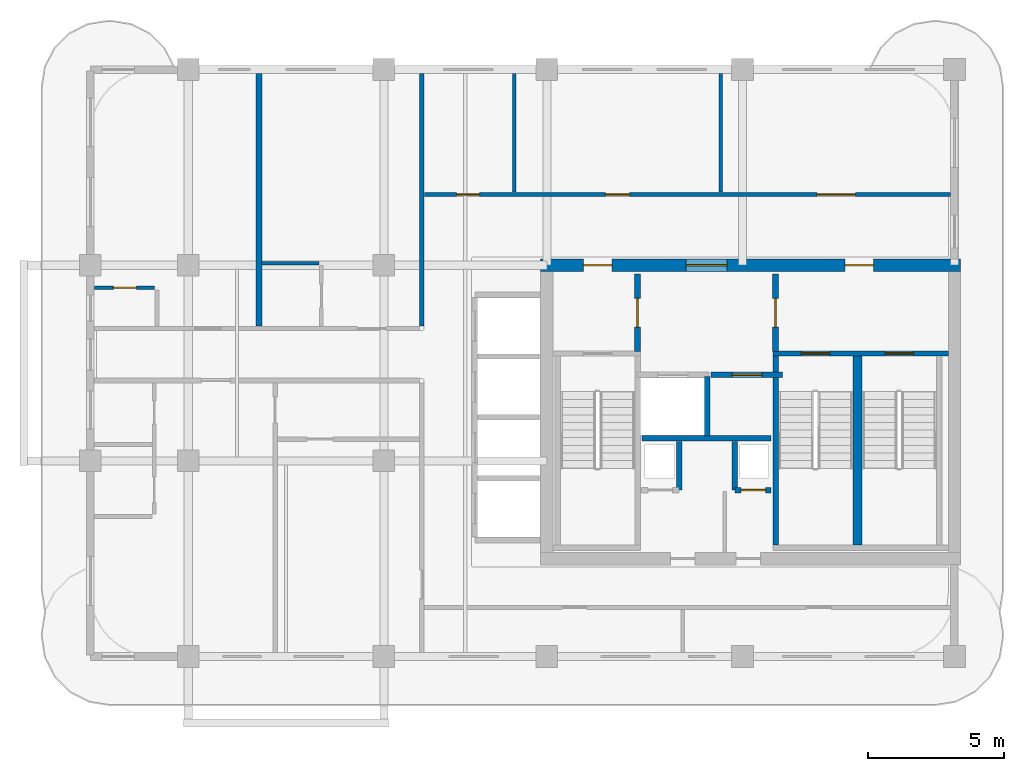
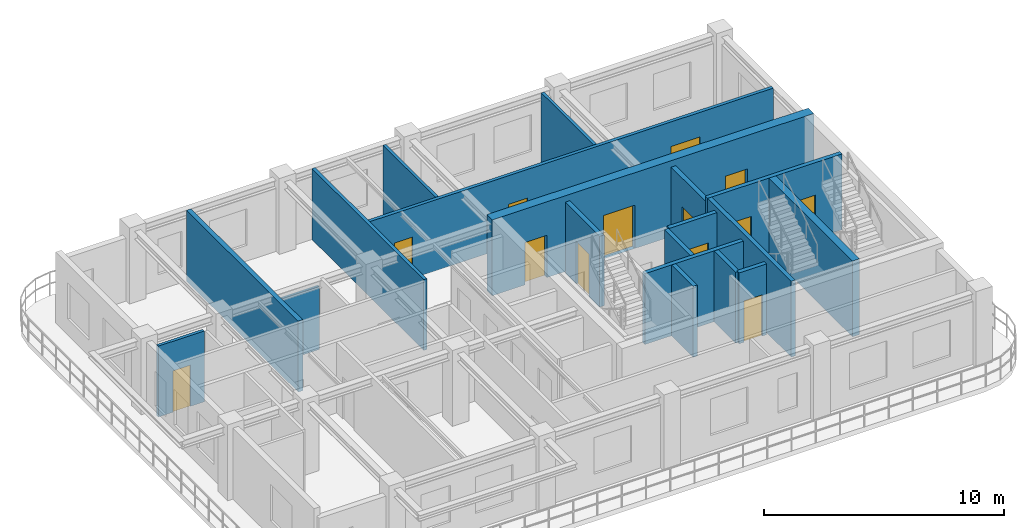
# One storey, part 4 of 7: 19 walls, 13 doors, 13 openings.
"""IFC4 building model written with IfcOpenShell, lengths in metres."""

from ifc_helpers import new_model, si_unit, derived_unit, direction, frame, frame_2d, origin, place, context, subcontext, project, spatial, rectangle, extrude, source, transform, mapped, material, layer, layer_set, type_object, type_shapes, element, fill, save


model = new_model("IFC4")

# Units and contexts
model_context = context("Model", 3, precision=1e-05, world=origin(), true_north=direction((0.0, 1.0)))
body_context = subcontext(model_context, "Body", "Model", "MODEL_VIEW")
ifc_project = project(units=[si_unit("LENGTHUNIT", "METRE"), si_unit("AREAUNIT", "SQUARE_METRE"), si_unit("VOLUMEUNIT", "CUBIC_METRE"), si_unit("PLANEANGLEUNIT", "RADIAN"), si_unit("MASSUNIT", "GRAM", prefix="KILO"), si_unit("THERMODYNAMICTEMPERATUREUNIT", "KELVIN"), si_unit("POWERUNIT", "WATT"), derived_unit("THERMALTRANSMITTANCEUNIT", [(si_unit("POWERUNIT", "WATT"), 1), (si_unit("AREAUNIT", "SQUARE_METRE"), -1), (si_unit("THERMODYNAMICTEMPERATUREUNIT", "KELVIN"), -1)])], contexts=[model_context])

# Site, building, storey
site_placement = place(None, origin())
site = spatial("IfcSite", under=ifc_project, at=site_placement, CompositionType="ELEMENT")
building_placement = place(site_placement, origin())
building = spatial("IfcBuilding", under=site, at=building_placement, Name="Zahravan Archway Hotel and Residences", CompositionType="ELEMENT")
storey_placement = place(building_placement, frame((0.0, 0.0, 259.64990234375)))
storey = spatial("IfcBuildingStorey", under=building, at=storey_placement, Name="L65", CompositionType="ELEMENT", Elevation=259.64990234375)

# Wall, openings, doors
ifc_material_1 = material(Name="Concrete C50/60", Category="concrete")
ifc_layer_1 = layer(ifc_material_1, 0.449951171875, Name="Concrete C50/60", Category="concrete")
ifc_layer_set_1 = layer_set([ifc_layer_1], Name="Concrete C50/60")
wall_type_1 = type_object("IfcWallType", Name="CW-CORE-450", PredefinedType="SHEAR", material=ifc_layer_set_1)
wall_1_placement = place(storey_placement, frame((34.574951171875, 14.39990234375, 0.0), z_axis=(0.0, 0.0, 1.0), x_axis=(1.0, 0.0, 0.0)))
wall_1 = element("IfcWall", 1, at=wall_1_placement, inside=storey, type_object=wall_type_1, Name="L65 Core A Shear N Wall 450 mm", PredefinedType="SHEAR", context=body_context, shape_type="SweptSolid", body=[
    extrude(rectangle(XDim=15.449951171875, YDim=0.449951171875, at=frame_2d((7.72509765625, 0.0))), origin(), (0.0, 0.0, 1.0), 3.85009765625),
])
opening_1_placement = place(wall_1_placement, frame((5.35498046875, 0.0, 0.0)))
opening_1 = element("IfcOpeningElement", 2, at=opening_1_placement, cuts=wall_1, Name="Opening FD-L1", PredefinedType="OPENING", context=body_context, shape_type="SweptSolid", body=[
    extrude(rectangle(XDim=1.5, YDim=2.199951171875, at=frame_2d((0.75, 1.10009765625))), frame((0.0, 0.23486328125, 0.0), z_axis=(0.0, -1.0, 0.0), x_axis=(1.0, 0.0, 0.0)), (0.0, 0.0, 1.0), 0.469970703125),
])
opening_2_placement = place(wall_1_placement, frame((1.570068359375, 0.0, 0.0)))
opening_2 = element("IfcOpeningElement", 3, at=opening_2_placement, cuts=wall_1, Name="Opening FD-L2", PredefinedType="OPENING", context=body_context, shape_type="SweptSolid", body=[
    extrude(rectangle(XDim=1.050048828125, YDim=2.14990234375, at=frame_2d((0.52490234375, 1.074951171875))), frame((0.0, 0.23486328125, 0.0), z_axis=(0.0, -1.0, 0.0), x_axis=(1.0, 0.0, 0.0)), (0.0, 0.0, 1.0), 0.469970703125),
])
opening_3_placement = place(wall_1_placement, frame((11.199951171875, 0.0, 0.0)))
opening_3 = element("IfcOpeningElement", 4, at=opening_3_placement, cuts=wall_1, Name="Opening FD-L2", PredefinedType="OPENING", context=body_context, shape_type="SweptSolid", body=[
    extrude(rectangle(XDim=1.050048828125, YDim=2.14990234375, at=frame_2d((0.52490234375, 1.074951171875))), frame((0.0, 0.23486328125, 0.0), z_axis=(0.0, -1.0, 0.0), x_axis=(1.0, 0.0, 0.0)), (0.0, 0.0, 1.0), 0.469970703125),
])
ifc_material_2 = material(Name="Fire-Rated Painted Steel", Category="steel")
door_type_1 = type_object("IfcDoorType", Name="FD-LOBBY-1100", OperationType="NOTDEFINED", PredefinedType="DOOR", material=ifc_material_2)
shared_shape_1 = source(origin(), body_context, "Body", "SweptSolid", [
    extrude(rectangle(XDim=1.050048828125, YDim=2.14990234375, at=frame_2d((0.52490234375, 1.074951171875))), frame((0.0, 0.02490234375, 0.0), z_axis=(0.0, -1.0, 0.0), x_axis=(1.0, 0.0, 0.0)), (0.0, 0.0, 1.0), 0.050048828125),
])
type_shapes(door_type_1, [shared_shape_1])
door_1_placement = place(opening_2_placement, origin())
door_1 = element("IfcDoor", 5, at=door_1_placement, inside=storey, type_object=door_type_1, Name="L65 Core A West Stair Lobby Door", OperationType="SINGLE_SWING_LEFT", OverallHeight=2.14990234375, OverallWidth=1.050048828125, PredefinedType="DOOR", context=body_context, shape_type="MappedRepresentation", body=[
    mapped(shared_shape_1, transform((0.0, 0.0, 0.0), scale=1.0)),
])
fill(opening_2, door_1)
door_2_placement = place(opening_3_placement, origin())
door_2 = element("IfcDoor", 6, at=door_2_placement, inside=storey, type_object=door_type_1, Name="L65 Core A East Stair Lobby Door", OperationType="SINGLE_SWING_RIGHT", OverallHeight=2.14990234375, OverallWidth=1.050048828125, PredefinedType="DOOR", context=body_context, shape_type="MappedRepresentation", body=[
    mapped(shared_shape_1, transform((0.0, 0.0, 0.0), scale=1.0)),
])
fill(opening_3, door_2)
door_type_2 = type_object("IfcDoorType", Name="FD-LOBBY-1500", OperationType="DOUBLE_DOOR_SINGLE_SWING", PredefinedType="DOOR", material=ifc_material_2)
shared_shape_2 = source(origin(), body_context, "Body", "SweptSolid", [
    extrude(rectangle(XDim=1.5, YDim=2.199951171875, at=frame_2d((0.75, 1.10009765625))), frame((0.0, 0.02490234375, 0.0), z_axis=(0.0, -1.0, 0.0), x_axis=(1.0, 0.0, 0.0)), (0.0, 0.0, 1.0), 0.050048828125),
])
type_shapes(door_type_2, [shared_shape_2])
door_3_placement = place(opening_1_placement, origin())
door_3 = element("IfcDoor", 7, at=door_3_placement, inside=storey, type_object=door_type_2, Name="L65 Core A FSAE Lobby Main Door", OperationType="DOUBLE_DOOR_SINGLE_SWING", OverallHeight=2.199951171875, OverallWidth=1.5, PredefinedType="DOOR", context=body_context, shape_type="MappedRepresentation", body=[
    mapped(shared_shape_2, transform((0.0, 0.0, 0.0), scale=1.0)),
])
fill(opening_1, door_3)

# Wall, opening, door
ifc_material_3 = material(Name="Fire-Rated Gypsum & Concrete Block", Category="concrete")
ifc_layer_2 = layer(ifc_material_3, 0.219970703125, Name="Fire-Rated Gypsum & Concrete Block", Category="concrete")
ifc_layer_set_2 = layer_set([ifc_layer_2], Name="Fire-Rated Gypsum & Concrete Block")
wall_type_2 = type_object("IfcWallType", Name="PW-COMP-220", PredefinedType="PARTITIONING", material=ifc_layer_set_2)
wall_2_placement = place(storey_placement, frame((38.139892578125, 11.219970703125, 0.0), z_axis=(0.0, 0.0, 1.0), x_axis=(0.0, 1.0, 0.0)))
wall_2 = element("IfcWall", 8, at=wall_2_placement, inside=storey, type_object=wall_type_2, Name="L65 Partition CA-LOBW", PredefinedType="PARTITIONING", context=body_context, shape_type="SweptSolid", body=[
    extrude(rectangle(XDim=2.860107421875, YDim=0.219970703125, at=frame_2d((1.43017578125, 0.0))), origin(), (0.0, 0.0, 1.0), 3.60009765625),
])
opening_4_placement = place(wall_2_placement, frame((0.905029296875, 0.0, 0.0)))
opening_4 = element("IfcOpeningElement", 9, at=opening_4_placement, cuts=wall_2, Name="Opening FD-L2", PredefinedType="OPENING", context=body_context, shape_type="SweptSolid", body=[
    extrude(rectangle(XDim=1.050048828125, YDim=2.14990234375, at=frame_2d((0.52490234375, 1.074951171875))), frame((0.0, 0.1201171875, 0.0), z_axis=(0.0, -1.0, 0.0), x_axis=(1.0, 0.0, 0.0)), (0.0, 0.0, 1.0), 0.239990234375),
])
door_4_placement = place(opening_4_placement, origin())
door_4 = element("IfcDoor", 10, at=door_4_placement, inside=storey, type_object=door_type_1, Name="L65 Core A West Stair to FSAE Lobby Door", OperationType="SINGLE_SWING_LEFT", OverallHeight=2.14990234375, OverallWidth=1.050048828125, PredefinedType="DOOR", context=body_context, shape_type="MappedRepresentation", body=[
    mapped(shared_shape_1, transform((0.0, 0.0, 0.0), scale=1.0)),
])
fill(opening_4, door_4)

wall_3_placement = place(storey_placement, frame((43.219970703125, 11.219970703125, 0.0), z_axis=(0.0, 0.0, 1.0), x_axis=(0.0, 1.0, 0.0)))
wall_3 = element("IfcWall", 11, at=wall_3_placement, inside=storey, type_object=wall_type_2, Name="L65 Partition CA-LOBE", PredefinedType="PARTITIONING", context=body_context, shape_type="SweptSolid", body=[
    extrude(rectangle(XDim=2.860107421875, YDim=0.219970703125, at=frame_2d((1.43017578125, 0.0))), origin(), (0.0, 0.0, 1.0), 3.60009765625),
])
opening_5_placement = place(wall_3_placement, frame((0.905029296875, 0.0, 0.0)))
opening_5 = element("IfcOpeningElement", 12, at=opening_5_placement, cuts=wall_3, Name="Opening FD-L2", PredefinedType="OPENING", context=body_context, shape_type="SweptSolid", body=[
    extrude(rectangle(XDim=1.050048828125, YDim=2.14990234375, at=frame_2d((0.52490234375, 1.074951171875))), frame((0.0, 0.1201171875, 0.0), z_axis=(0.0, -1.0, 0.0), x_axis=(1.0, 0.0, 0.0)), (0.0, 0.0, 1.0), 0.239990234375),
])
door_5_placement = place(opening_5_placement, origin())
door_5 = element("IfcDoor", 13, at=door_5_placement, inside=storey, type_object=door_type_1, Name="L65 Core A East Stair to FSAE Lobby Door", OperationType="SINGLE_SWING_RIGHT", OverallHeight=2.14990234375, OverallWidth=1.050048828125, PredefinedType="DOOR", context=body_context, shape_type="MappedRepresentation", body=[
    mapped(shared_shape_1, transform((0.0, 0.0, 0.0), scale=1.0)),
])
fill(opening_5, door_5)

# Walls
wall_4_placement = place(storey_placement, frame((24.199951171875, 12.159912109375, 0.0), z_axis=(0.0, 0.0, 1.0), x_axis=(0.0, 1.0, 0.0)))
element("IfcWall", 14, at=wall_4_placement, inside=storey, type_object=wall_type_2, Name="L65 Partition WAN-SBK1", PredefinedType="PARTITIONING", context=body_context, shape_type="SweptSolid", body=[
    extrude(rectangle(XDim=9.2919921875, YDim=0.219970703125, at=frame_2d((4.64599609375, 0.0))), origin(), (0.0, 0.0, 1.0), 3.60009765625),
])
ifc_layer_3 = layer(ifc_material_3, 0.159912109375, Name="Fire-Rated Gypsum & Concrete Block", Category="concrete")
ifc_layer_set_3 = layer_set([ifc_layer_3], Name="Fire-Rated Gypsum & Concrete Block")
wall_type_3 = type_object("IfcWallType", Name="PW-CORR-160", PredefinedType="PARTITIONING", material=ifc_layer_set_3)
wall_5_placement = place(storey_placement, frame((30.199951171875, 12.159912109375, 0.0), z_axis=(0.0, 0.0, 1.0), x_axis=(0.0, 1.0, 0.0)))
element("IfcWall", 15, at=wall_5_placement, inside=storey, type_object=wall_type_3, Name="L65 Partition WA-FW", PredefinedType="PARTITIONING", context=body_context, shape_type="SweptSolid", body=[
    extrude(rectangle(XDim=9.300048828125, YDim=0.159912109375, at=frame_2d((4.64990234375, 0.0))), origin(), (0.0, 0.0, 1.0), 3.60009765625),
])

# Wall, openings, doors
wall_6_placement = place(storey_placement, frame((30.2900390625, 17.0, 0.0), z_axis=(0.0, 0.0, 1.0), x_axis=(1.0, 0.0, 0.0)))
wall_6 = element("IfcWall", 16, at=wall_6_placement, inside=storey, type_object=wall_type_3, Name="L65 Partition WA-FN", PredefinedType="PARTITIONING", context=body_context, shape_type="SweptSolid", body=[
    extrude(rectangle(XDim=19.369873046875, YDim=0.159912109375, at=frame_2d((9.68505859375, 0.0))), origin(), (0.0, 0.0, 1.0), 3.60009765625),
])
opening_6_placement = place(wall_6_placement, frame((1.18505859375, 0.0, 0.0)))
opening_6 = element("IfcOpeningElement", 17, at=opening_6_placement, cuts=wall_6, Name="Opening D-B1", PredefinedType="OPENING", context=body_context, shape_type="SweptSolid", body=[
    extrude(rectangle(XDim=0.85009765625, YDim=2.10009765625, at=frame_2d((0.425048828125, 1.050048828125))), frame((0.0, 0.08984375, 0.0), z_axis=(0.0, -1.0, 0.0), x_axis=(1.0, 0.0, 0.0)), (0.0, 0.0, 1.0), 0.179931640625),
])
opening_7_placement = place(wall_6_placement, frame((6.659912109375, 0.0, 0.0)))
opening_7 = element("IfcOpeningElement", 18, at=opening_7_placement, cuts=wall_6, Name="Opening D-I2", PredefinedType="OPENING", context=body_context, shape_type="SweptSolid", body=[
    extrude(rectangle(XDim=0.89990234375, YDim=2.14990234375, at=frame_2d((0.449951171875, 1.074951171875))), frame((0.0, 0.08984375, 0.0), z_axis=(0.0, -1.0, 0.0), x_axis=(1.0, 0.0, 0.0)), (0.0, 0.0, 1.0), 0.179931640625),
])
opening_8_placement = place(wall_6_placement, frame((14.4599609375, 0.0, 0.0)))
opening_8 = element("IfcOpeningElement", 19, at=opening_8_placement, cuts=wall_6, Name="Opening D-P1", PredefinedType="OPENING", context=body_context, shape_type="SweptSolid", body=[
    extrude(rectangle(XDim=1.39990234375, YDim=2.35009765625, at=frame_2d((0.699951171875, 1.175048828125))), frame((0.0, 0.08984375, 0.0), z_axis=(0.0, -1.0, 0.0), x_axis=(1.0, 0.0, 0.0)), (0.0, 0.0, 1.0), 0.179931640625),
])
ifc_material_4 = material(Name="Hardwood Veneer Timber", Category="wood")
door_type_3 = type_object("IfcDoorType", Name="ID-BATH-850", OperationType="NOTDEFINED", PredefinedType="DOOR", material=ifc_material_4)
shared_shape_3 = source(origin(), body_context, "Body", "SweptSolid", [
    extrude(rectangle(XDim=0.85009765625, YDim=2.10009765625, at=frame_2d((0.425048828125, 1.050048828125))), frame((0.0, 0.02490234375, 0.0), z_axis=(0.0, -1.0, 0.0), x_axis=(1.0, 0.0, 0.0)), (0.0, 0.0, 1.0), 0.050048828125),
])
type_shapes(door_type_3, [shared_shape_3])
door_6_placement = place(opening_6_placement, origin())
door_6 = element("IfcDoor", 20, at=door_6_placement, inside=storey, type_object=door_type_3, Name="L65 Accessible Floor Restroom Door", OperationType="SINGLE_SWING_RIGHT", OverallHeight=2.10009765625, OverallWidth=0.85009765625, PredefinedType="DOOR", context=body_context, shape_type="MappedRepresentation", body=[
    mapped(shared_shape_3, transform((0.0, 0.0, 0.0), scale=1.0)),
])
fill(opening_6, door_6)
ifc_material_5 = material(Name="Bronze-Anodized Glazed Aluminium", Category="aluminium")
door_type_4 = type_object("IfcDoorType", Name="ID-PUBLIC-1400", OperationType="DOUBLE_DOOR_SINGLE_SWING", PredefinedType="DOOR", material=ifc_material_5)
shared_shape_4 = source(origin(), body_context, "Body", "SweptSolid", [
    extrude(rectangle(XDim=1.39990234375, YDim=2.35009765625, at=frame_2d((0.699951171875, 1.175048828125))), frame((0.0, 0.02490234375, 0.0), z_axis=(0.0, -1.0, 0.0), x_axis=(1.0, 0.0, 0.0)), (0.0, 0.0, 1.0), 0.050048828125),
])
type_shapes(door_type_4, [shared_shape_4])
door_7_placement = place(opening_8_placement, origin())
door_7 = element("IfcDoor", 21, at=door_7_placement, inside=storey, type_object=door_type_4, Name="L65 Co-Working Room Door", OperationType="DOUBLE_DOOR_SINGLE_SWING", OverallHeight=2.35009765625, OverallWidth=1.39990234375, PredefinedType="DOOR", context=body_context, shape_type="MappedRepresentation", body=[
    mapped(shared_shape_4, transform((0.0, 0.0, 0.0), scale=1.0)),
])
fill(opening_8, door_7)
door_type_5 = type_object("IfcDoorType", Name="ID-INT-900", OperationType="NOTDEFINED", PredefinedType="DOOR", material=ifc_material_4)
shared_shape_5 = source(origin(), body_context, "Body", "SweptSolid", [
    extrude(rectangle(XDim=0.89990234375, YDim=2.14990234375, at=frame_2d((0.449951171875, 1.074951171875))), frame((0.0, 0.02490234375, 0.0), z_axis=(0.0, -1.0, 0.0), x_axis=(1.0, 0.0, 0.0)), (0.0, 0.0, 1.0), 0.050048828125),
])
type_shapes(door_type_5, [shared_shape_5])
door_8_placement = place(opening_7_placement, origin())
door_8 = element("IfcDoor", 22, at=door_8_placement, inside=storey, type_object=door_type_5, Name="L65 Tea Servery Door", OperationType="SINGLE_SWING_LEFT", OverallHeight=2.14990234375, OverallWidth=0.89990234375, PredefinedType="DOOR", context=body_context, shape_type="MappedRepresentation", body=[
    mapped(shared_shape_5, transform((0.0, 0.0, 0.0), scale=1.0)),
])
fill(opening_7, door_8)

# Walls
ifc_layer_4 = layer(ifc_material_3, 0.199951171875, Name="Fire-Rated Gypsum & Concrete Block", Category="concrete")
ifc_layer_set_4 = layer_set([ifc_layer_4], Name="Fire-Rated Gypsum & Concrete Block")
wall_type_4 = type_object("IfcWallType", Name="PW-SHAFT-200", PredefinedType="PARTITIONING", material=ifc_layer_set_4)
wall_7_placement = place(storey_placement, frame((38.300048828125, 8.030029296875, 0.0), z_axis=(0.0, 0.0, 1.0), x_axis=(1.0, 0.0, 0.0)))
element("IfcWall", 23, at=wall_7_placement, inside=storey, type_object=wall_type_4, Name="L65 Partition CA-FLS", PredefinedType="PARTITIONING", context=body_context, shape_type="SweptSolid", body=[
    extrude(rectangle(XDim=4.739990234375, YDim=0.199951171875, at=frame_2d((2.3701171875, 0.0))), origin(), (0.0, 0.0, 1.0), 3.60009765625),
])
wall_8_placement = place(storey_placement, frame((40.699951171875, 8.1201171875, 0.0), z_axis=(0.0, 0.0, 1.0), x_axis=(0.0, 1.0, 0.0)))
element("IfcWall", 24, at=wall_8_placement, inside=storey, type_object=wall_type_4, Name="L65 Partition CA-FLM", PredefinedType="PARTITIONING", context=body_context, shape_type="SweptSolid", body=[
    extrude(rectangle(XDim=2.179931640625, YDim=0.199951171875, at=frame_2d((1.08984375, 0.0))), origin(), (0.0, 0.0, 1.0), 3.60009765625),
])
wall_9_placement = place(storey_placement, frame((39.679931640625, 6.1298828125, 0.0), z_axis=(0.0, 0.0, 1.0), x_axis=(0.0, 1.0, 0.0)))
element("IfcWall", 25, at=wall_9_placement, inside=storey, type_object=wall_type_4, Name="L65 Partition CA-SMKE", PredefinedType="PARTITIONING", context=body_context, shape_type="SweptSolid", body=[
    extrude(rectangle(XDim=1.7900390625, YDim=0.199951171875, at=frame_2d((0.89501953125, 0.0))), origin(), (0.0, 0.0, 1.0), 3.60009765625),
])

# Wall, opening, door
wall_10_placement = place(storey_placement, frame((41.72998046875, 6.1201171875, 0.0), z_axis=(0.0, 0.0, 1.0), x_axis=(1.0, 0.0, 0.0)))
wall_10 = element("IfcWall", 26, at=wall_10_placement, inside=storey, type_object=wall_type_4, Name="L65 Partition CA-MEPS", PredefinedType="PARTITIONING", context=body_context, shape_type="SweptSolid", body=[
    extrude(rectangle(XDim=1.320068359375, YDim=0.199951171875, at=frame_2d((0.66015625, 0.0))), origin(), (0.0, 0.0, 1.0), 3.60009765625),
])
opening_9_placement = place(wall_10_placement, frame((0.219970703125, 0.0, 0.0)))
opening_9 = element("IfcOpeningElement", 27, at=opening_9_placement, cuts=wall_10, Name="Opening FD-R1", PredefinedType="OPENING", context=body_context, shape_type="SweptSolid", body=[
    extrude(rectangle(XDim=0.89990234375, YDim=2.10009765625, at=frame_2d((0.449951171875, 1.050048828125))), frame((0.0, 0.10986328125, 0.0), z_axis=(0.0, -1.0, 0.0), x_axis=(1.0, 0.0, 0.0)), (0.0, 0.0, 1.0), 0.219970703125),
])
door_type_6 = type_object("IfcDoorType", Name="FD-RISER-900", OperationType="NOTDEFINED", PredefinedType="DOOR", material=ifc_material_2)
shared_shape_6 = source(origin(), body_context, "Body", "SweptSolid", [
    extrude(rectangle(XDim=0.89990234375, YDim=2.10009765625, at=frame_2d((0.449951171875, 1.050048828125))), frame((0.0, 0.02490234375, 0.0), z_axis=(0.0, -1.0, 0.0), x_axis=(1.0, 0.0, 0.0)), (0.0, 0.0, 1.0), 0.050048828125),
])
type_shapes(door_type_6, [shared_shape_6])
door_9_placement = place(opening_9_placement, origin())
door_9 = element("IfcDoor", 28, at=door_9_placement, inside=storey, type_object=door_type_6, Name="L65 MEP Riser Access Door", OperationType="SINGLE_SWING_RIGHT", OverallHeight=2.10009765625, OverallWidth=0.89990234375, PredefinedType="DOOR", context=body_context, shape_type="MappedRepresentation", body=[
    mapped(shared_shape_6, transform((0.0, 0.0, 0.0), scale=1.0)),
])
fill(opening_9, door_9)

# Wall
wall_11_placement = place(storey_placement, frame((41.719970703125, 6.1298828125, 0.0), z_axis=(0.0, 0.0, 1.0), x_axis=(0.0, 1.0, 0.0)))
element("IfcWall", 29, at=wall_11_placement, inside=storey, type_object=wall_type_4, Name="L65 Partition CA-MEPW", PredefinedType="PARTITIONING", context=body_context, shape_type="SweptSolid", body=[
    extrude(rectangle(XDim=1.7900390625, YDim=0.199951171875, at=frame_2d((0.89501953125, 0.0))), origin(), (0.0, 0.0, 1.0), 3.60009765625),
])

# Wall, opening, door
wall_12_placement = place(storey_placement, frame((40.840087890625, 10.3701171875, 0.0), z_axis=(0.0, 0.0, 1.0), x_axis=(1.0, 0.0, 0.0)))
wall_12 = element("IfcWall", 30, at=wall_12_placement, inside=storey, type_object=wall_type_4, Name="L65 Lift FL-2 Front Wall", PredefinedType="PARTITIONING", context=body_context, shape_type="SweptSolid", body=[
    extrude(rectangle(XDim=2.639892578125, YDim=0.199951171875, at=frame_2d((1.31982421875, 0.0))), origin(), (0.0, 0.0, 1.0), 3.60009765625),
])
opening_10_placement = place(wall_12_placement, frame((0.77001953125, 0.0, 0.0)))
opening_10 = element("IfcOpeningElement", 31, at=opening_10_placement, cuts=wall_12, Name="Opening LD", PredefinedType="OPENING", context=body_context, shape_type="SweptSolid", body=[
    extrude(rectangle(XDim=1.10009765625, YDim=2.199951171875, at=frame_2d((0.550048828125, 1.10009765625))), frame((0.0, 0.10986328125, 0.0), z_axis=(0.0, -1.0, 0.0), x_axis=(1.0, 0.0, 0.0)), (0.0, 0.0, 1.0), 0.219970703125),
])
ifc_material_6 = material(Name="Brushed Stainless Steel", Category="steel")
door_type_7 = type_object("IfcDoorType", Name="DR-LIFT-LD", OperationType="SLIDING_TO_LEFT", PredefinedType="DOOR", material=ifc_material_6)
shared_shape_7 = source(origin(), body_context, "Body", "SweptSolid", [
    extrude(rectangle(XDim=1.10009765625, YDim=2.199951171875, at=frame_2d((0.550048828125, 1.10009765625))), frame((0.0, 0.02490234375, 0.0), z_axis=(0.0, -1.0, 0.0), x_axis=(1.0, 0.0, 0.0)), (0.0, 0.0, 1.0), 0.050048828125),
])
type_shapes(door_type_7, [shared_shape_7])
door_10_placement = place(opening_10_placement, origin())
door_10 = element("IfcDoor", 32, at=door_10_placement, inside=storey, type_object=door_type_7, Name="L65 Lift FL-2 Sliding Landing Door", OperationType="SLIDING_TO_LEFT", OverallHeight=2.199951171875, OverallWidth=1.10009765625, PredefinedType="DOOR", context=body_context, shape_type="MappedRepresentation", body=[
    mapped(shared_shape_7, transform((0.0, 0.0, 0.0), scale=1.0)),
])
fill(opening_10, door_10)

# Walls
ifc_material_7 = material(Name="Moisture-Resistant Blockwork", Category="masonry")
ifc_layer_5 = layer(ifc_material_7, 0.139892578125, Name="Moisture-Resistant Blockwork", Category="masonry")
ifc_layer_set_5 = layer_set([ifc_layer_5], Name="Moisture-Resistant Blockwork")
wall_type_5 = type_object("IfcWallType", Name="PW-WET-140", PredefinedType="PARTITIONING", material=ifc_layer_set_5)
for number, where, z_axis, x_axis, name in (
    (33, (33.60009765625, 17.090087890625, 0.0), (0.0, 0.0, 1.0), (0.0, 1.0, 0.0), "L65 Partition NE0-1"),
    (34, (41.199951171875, 17.090087890625, 0.0), (0.0, 0.0, 1.0), (0.0, 1.0, 0.0), "L65 Partition NE0-2"),
):
    element("IfcWall", number, at=place(storey_placement, frame(where, z_axis=z_axis, x_axis=x_axis)), inside=storey, type_object=wall_type_5, Name=name, PredefinedType="PARTITIONING", context=body_context, shape_type="SweptSolid", body=[
        extrude(rectangle(XDim=4.36181640625, YDim=0.139892578125, at=frame_2d((2.180908203125, 0.0))), origin(), (0.0, 0.0, 1.0), 3.60009765625),
    ])

# Wall, opening, door
wall_13_placement = place(storey_placement, frame((18.14794921875, 13.570068359375, 0.0), z_axis=(0.0, 0.0, 1.0), x_axis=(1.0, 0.0, 0.0)))
wall_13 = element("IfcWall", 35, at=wall_13_placement, inside=storey, type_object=wall_type_5, Name="L65 Partition HKB-H87", PredefinedType="PARTITIONING", context=body_context, shape_type="SweptSolid", body=[
    extrude(rectangle(XDim=2.212158203125, YDim=0.139892578125, at=frame_2d((1.10595703125, 0.0))), origin(), (0.0, 0.0, 1.0), 3.60009765625),
])
opening_11_placement = place(wall_13_placement, frame((0.701904296875, 0.0, 0.0)))
opening_11 = element("IfcOpeningElement", 36, at=opening_11_placement, cuts=wall_13, Name="Opening D-B1", PredefinedType="OPENING", context=body_context, shape_type="SweptSolid", body=[
    extrude(rectangle(XDim=0.85009765625, YDim=2.10009765625, at=frame_2d((0.425048828125, 1.050048828125))), frame((0.0, 0.080078125, 0.0), z_axis=(0.0, -1.0, 0.0), x_axis=(1.0, 0.0, 0.0)), (0.0, 0.0, 1.0), 0.159912109375),
])
door_11_placement = place(opening_11_placement, origin())
door_11 = element("IfcDoor", 37, at=door_11_placement, inside=storey, type_object=door_type_3, Name="L65 Guestroom 87 En-Suite Door", OperationType="SINGLE_SWING_RIGHT", OverallHeight=2.10009765625, OverallWidth=0.85009765625, PredefinedType="DOOR", context=body_context, shape_type="MappedRepresentation", body=[
    mapped(shared_shape_3, transform((0.0, 0.0, 0.0), scale=1.0)),
])
fill(opening_11, door_11)

# Walls
wall_14_placement = place(storey_placement, frame((24.2900390625, 14.469970703125, 0.0), z_axis=(0.0, 0.0, 1.0), x_axis=(1.0, 0.0, 0.0)))
element("IfcWall", 38, at=wall_14_placement, inside=storey, type_object=wall_type_5, Name="L65 Partition HKB-H88", PredefinedType="PARTITIONING", context=body_context, shape_type="SweptSolid", body=[
    extrude(rectangle(XDim=2.119873046875, YDim=0.139892578125, at=frame_2d((1.06005859375, 0.0))), origin(), (0.0, 0.0, 1.0), 3.18505859375),
])
ifc_layer_6 = layer(ifc_material_1, 0.199951171875, Name="Concrete C50/60", Category="concrete")
ifc_layer_set_6 = layer_set([ifc_layer_6], Name="Concrete C50/60")
wall_type_6 = type_object("IfcWallType", Name="SW-STAIR-200", PredefinedType="SHEAR", material=ifc_layer_set_6)
wall_15_placement = place(storey_placement, frame((43.219970703125, 4.10009765625, 0.0), z_axis=(0.0, 0.0, 1.0), x_axis=(0.0, 1.0, 0.0)))
element("IfcWall", 39, at=wall_15_placement, inside=storey, type_object=wall_type_6, Name="L65 Stairwell RC Wall CA-SA2W", PredefinedType="SHEAR", context=body_context, shape_type="SweptSolid", body=[
    extrude(rectangle(XDim=6.949951171875, YDim=0.199951171875, at=frame_2d((3.47509765625, 0.0))), origin(), (0.0, 0.0, 1.0), 3.85009765625),
])

# Wall, openings, doors
wall_16_placement = place(storey_placement, frame((43.1201171875, 11.14990234375, 0.0), z_axis=(0.0, 0.0, 1.0), x_axis=(1.0, 0.0, 0.0)))
wall_16 = element("IfcWall", 40, at=wall_16_placement, inside=storey, type_object=wall_type_6, Name="L65 Stairwell RC Wall CA-SA23N", PredefinedType="SHEAR", context=body_context, shape_type="SweptSolid", body=[
    extrude(rectangle(XDim=6.454833984375, YDim=0.199951171875, at=frame_2d((3.2275390625, 0.0))), origin(), (0.0, 0.0, 1.0), 3.85009765625),
])
opening_12_placement = place(wall_16_placement, frame((1.044921875, 0.0, 0.0)))
opening_12 = element("IfcOpeningElement", 41, at=opening_12_placement, cuts=wall_16, Name="Opening FD-S1", PredefinedType="OPENING", context=body_context, shape_type="SweptSolid", body=[
    extrude(rectangle(XDim=1.050048828125, YDim=2.199951171875, at=frame_2d((0.52490234375, 1.10009765625))), frame((0.0, 0.10986328125, 0.0), z_axis=(0.0, -1.0, 0.0), x_axis=(1.0, 0.0, 0.0)), (0.0, 0.0, 1.0), 0.219970703125),
])
opening_13_placement = place(wall_16_placement, frame((4.125, 0.0, 0.0)))
opening_13 = element("IfcOpeningElement", 42, at=opening_13_placement, cuts=wall_16, Name="Opening FD-S1", PredefinedType="OPENING", context=body_context, shape_type="SweptSolid", body=[
    extrude(rectangle(XDim=1.050048828125, YDim=2.199951171875, at=frame_2d((0.52490234375, 1.10009765625))), frame((0.0, 0.10986328125, 0.0), z_axis=(0.0, -1.0, 0.0), x_axis=(1.0, 0.0, 0.0)), (0.0, 0.0, 1.0), 0.219970703125),
])
door_type_8 = type_object("IfcDoorType", Name="FD-STAIR-1100", OperationType="NOTDEFINED", PredefinedType="DOOR", material=ifc_material_2)
shared_shape_8 = source(origin(), body_context, "Body", "SweptSolid", [
    extrude(rectangle(XDim=1.050048828125, YDim=2.199951171875, at=frame_2d((0.52490234375, 1.10009765625))), frame((0.0, 0.02490234375, 0.0), z_axis=(0.0, -1.0, 0.0), x_axis=(1.0, 0.0, 0.0)), (0.0, 0.0, 1.0), 0.050048828125),
])
type_shapes(door_type_8, [shared_shape_8])
door_12_placement = place(opening_12_placement, origin())
door_12 = element("IfcDoor", 43, at=door_12_placement, inside=storey, type_object=door_type_8, Name="L65 Stair ST-A2 Door", OperationType="SINGLE_SWING_LEFT", OverallHeight=2.199951171875, OverallWidth=1.050048828125, PredefinedType="DOOR", context=body_context, shape_type="MappedRepresentation", body=[
    mapped(shared_shape_8, transform((0.0, 0.0, 0.0), scale=1.0)),
])
fill(opening_12, door_12)
door_13_placement = place(opening_13_placement, origin())
door_13 = element("IfcDoor", 44, at=door_13_placement, inside=storey, type_object=door_type_8, Name="L65 Stair ST-A3 Door", OperationType="SINGLE_SWING_RIGHT", OverallHeight=2.199951171875, OverallWidth=1.050048828125, PredefinedType="DOOR", context=body_context, shape_type="MappedRepresentation", body=[
    mapped(shared_shape_8, transform((0.0, 0.0, 0.0), scale=1.0)),
])
fill(opening_13, door_13)

# Wall
ifc_layer_7 = layer(ifc_material_1, 0.340087890625, Name="Concrete C50/60", Category="concrete")
ifc_layer_set_7 = layer_set([ifc_layer_7], Name="Concrete C50/60")
wall_type_7 = type_object("IfcWallType", Name="SW-STAIR-340", PredefinedType="SHEAR", material=ifc_layer_set_7)
wall_17_placement = place(storey_placement, frame((46.22998046875, 4.10009765625, 0.0), z_axis=(0.0, 0.0, 1.0), x_axis=(0.0, 1.0, 0.0)))
element("IfcWall", 45, at=wall_17_placement, inside=storey, type_object=wall_type_7, Name="L65 Stairwell RC Wall CA-SA23M", PredefinedType="SHEAR", context=body_context, shape_type="SweptSolid", body=[
    extrude(rectangle(XDim=6.949951171875, YDim=0.340087890625, at=frame_2d((3.47509765625, 0.0))), origin(), (0.0, 0.0, 1.0), 3.85009765625),
])

save(model, "model.ifc")
